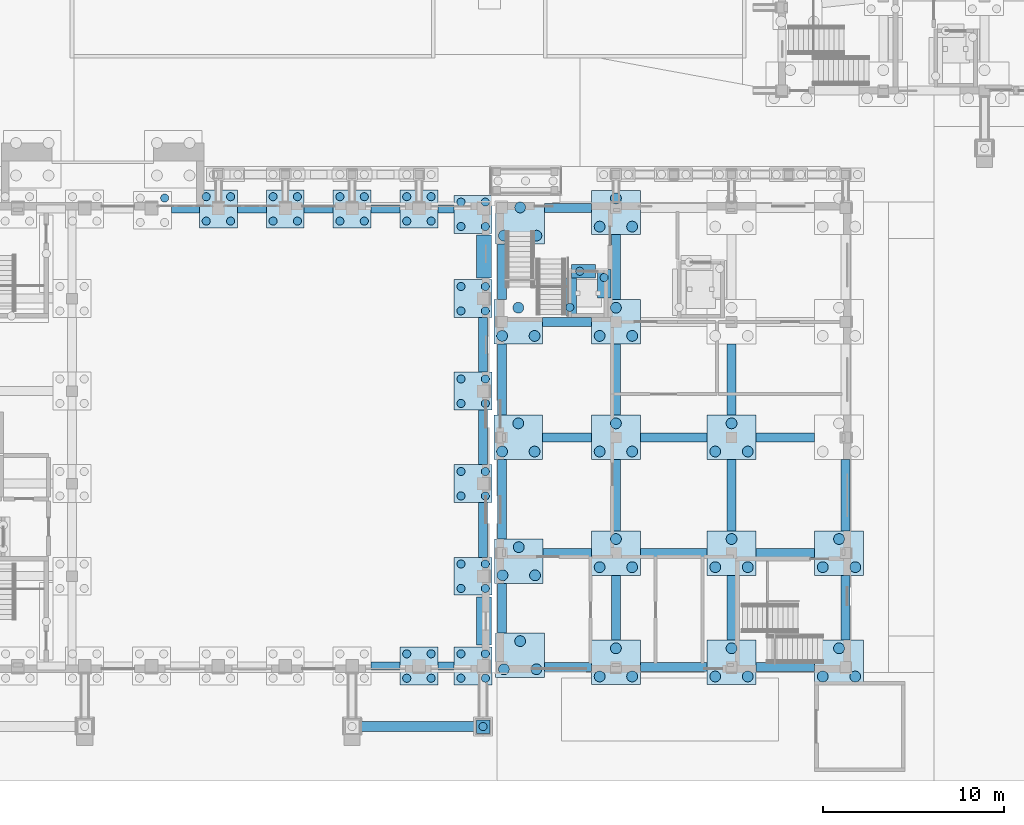
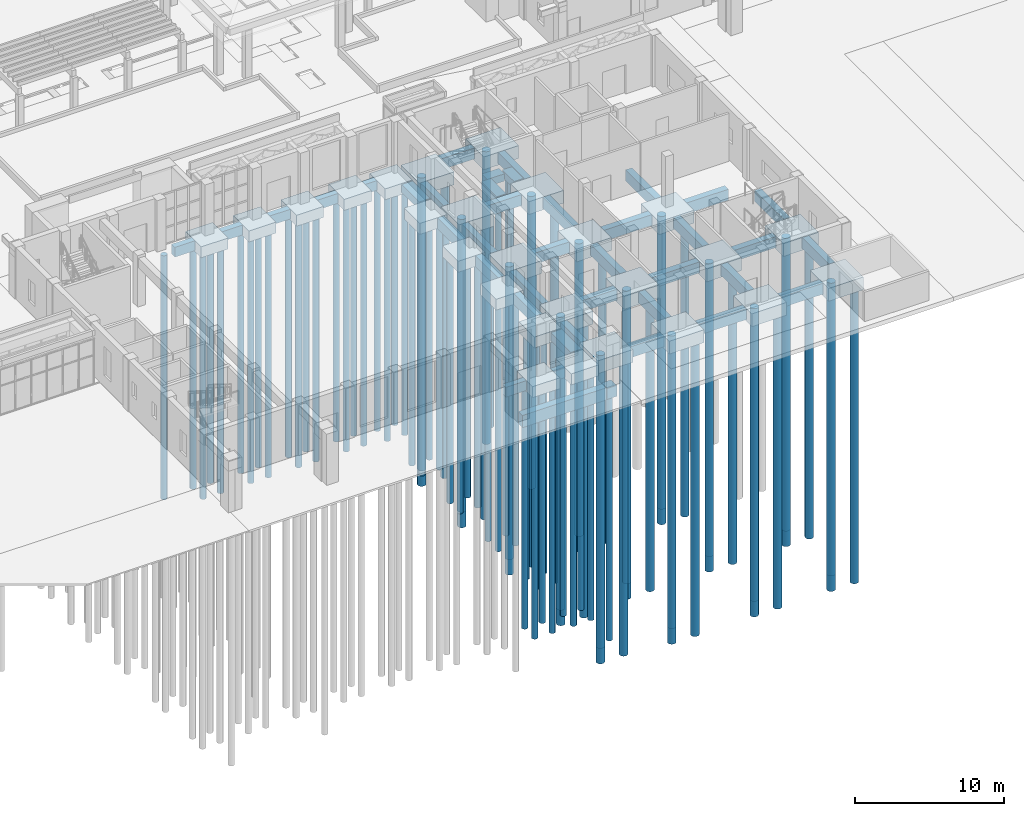
# One storey, part 4 of 112: 94 piles, 67 footings.
"""IFC4 building model written with IfcOpenShell, lengths in metres."""

from ifc_helpers import new_model, si_unit, direction, frame, origin, origin_2d, place, context, subcontext, project, spatial, rectangle, circle, extrude, material, material_profile, profile_set, type_object, element, save


model = new_model("IFC4")

# Units and contexts
model_context = context("Model", 3, precision=1e-05, world=origin(), true_north=direction((0.0, 1.0)))
body_context = subcontext(model_context, "Body", "Model", "MODEL_VIEW")
ifc_project = project(units=[si_unit("LENGTHUNIT", "METRE"), si_unit("AREAUNIT", "SQUARE_METRE"), si_unit("VOLUMEUNIT", "CUBIC_METRE"), si_unit("PLANEANGLEUNIT", "RADIAN"), si_unit("MASSUNIT", "GRAM", prefix="KILO")], contexts=[model_context])

# Site, building, storey
site_placement = place(None, origin())
site = spatial("IfcSite", under=ifc_project, at=site_placement, CompositionType="ELEMENT")
building_placement = place(site_placement, origin())
building = spatial("IfcBuilding", under=site, at=building_placement, Name="Wasatch Bagh Community Centre", CompositionType="ELEMENT")
storey_placement = place(building_placement, origin())
storey = spatial("IfcBuildingStorey", under=building, at=storey_placement, Name="L00", CompositionType="ELEMENT", Elevation=0.0)

# Footings
ifc_material_1 = material(Name="Concrete C35", Category="concrete")
footing_type_1 = type_object("IfcFootingType", Name="FD-GB-B", PredefinedType="FOOTING_BEAM", material=ifc_material_1)
footing_1_placement = place(storey_placement, frame((90.25, 6.35009765625, -1.0), z_axis=(0.0, 0.0, 1.0), x_axis=(1.0, 0.0, 0.0)))
element("IfcFooting", 1, at=footing_1_placement, inside=storey, type_object=footing_type_1, Name="GB ground beam 50", PredefinedType="FOOTING_BEAM", context=body_context, shape_type="SweptSolid", body=[
    extrude(rectangle(XDim=1.60009765625, YDim=0.449951171875, at=origin_2d()), origin(), (0.0, 0.0, 1.0), 0.800048828125),
])
footing_2_placement = place(storey_placement, frame((93.60009765625, 6.35009765625, -1.0), z_axis=(0.0, 0.0, 1.0), x_axis=(1.0, 0.0, 0.0)))
element("IfcFooting", 2, at=footing_2_placement, inside=storey, type_object=footing_type_1, Name="GB ground beam 51", PredefinedType="FOOTING_BEAM", context=body_context, shape_type="SweptSolid", body=[
    extrude(rectangle(XDim=0.89990234375, YDim=0.449951171875, at=origin_2d()), origin(), (0.0, 0.0, 1.0), 0.800048828125),
])
footing_3_placement = place(storey_placement, frame((82.85009765625, 31.64990234375, -1.0), z_axis=(0.0, 0.0, 1.0), x_axis=(1.0, 0.0, 0.0)))
element("IfcFooting", 3, at=footing_3_placement, inside=storey, type_object=footing_type_1, Name="GB ground beam 55", PredefinedType="FOOTING_BEAM", context=body_context, shape_type="SweptSolid", body=[
    extrude(rectangle(XDim=1.60009765625, YDim=0.449951171875, at=origin_2d()), origin(), (0.0, 0.0, 1.0), 0.800048828125),
])
footing_4_placement = place(storey_placement, frame((79.175048828125, 31.64990234375, -1.0), z_axis=(0.0, 0.0, 1.0), x_axis=(-1.0, 0.0, 0.0)))
element("IfcFooting", 4, at=footing_4_placement, inside=storey, type_object=footing_type_1, Name="GB ground beam 56", PredefinedType="FOOTING_BEAM", context=body_context, shape_type="SweptSolid", body=[
    extrude(rectangle(XDim=1.550048828125, YDim=0.449951171875, at=origin_2d()), origin(), (0.0, 0.0, 1.0), 0.800048828125),
])
for number, where, z_axis, x_axis, name in (
    (5, (86.550048828125, 31.64990234375, -1.0), (0.0, 0.0, 1.0), (1.0, 0.0, 0.0), "GB ground beam 57"),
    (6, (90.25, 31.64990234375, -1.0), (0.0, 0.0, 1.0), (1.0, 0.0, 0.0), "GB ground beam 58"),
):
    element("IfcFooting", number, at=place(storey_placement, frame(where, z_axis=z_axis, x_axis=x_axis)), inside=storey, type_object=footing_type_1, Name=name, PredefinedType="FOOTING_BEAM", context=body_context, shape_type="SweptSolid", body=[
        extrude(rectangle(XDim=1.60009765625, YDim=0.449951171875, at=origin_2d()), origin(), (0.0, 0.0, 1.0), 0.800048828125),
    ])
footing_5_placement = place(storey_placement, frame((93.60009765625, 31.64990234375, -1.0), z_axis=(0.0, 0.0, 1.0), x_axis=(1.0, 0.0, 0.0)))
element("IfcFooting", 7, at=footing_5_placement, inside=storey, type_object=footing_type_1, Name="GB ground beam 59", PredefinedType="FOOTING_BEAM", context=body_context, shape_type="SweptSolid", body=[
    extrude(rectangle(XDim=0.89990234375, YDim=0.449951171875, at=origin_2d()), origin(), (0.0, 0.0, 1.0), 0.800048828125),
])
footing_type_2 = type_object("IfcFootingType", Name="FD-GB-C", PredefinedType="FOOTING_BEAM", material=ifc_material_1)
for number, where, z_axis, x_axis, name in (
    (8, (95.64990234375, 13.8798828125, -1.099853515625), (0.0, 0.0, 1.0), (0.0, 1.0, 0.0), "GB ground beam 70"),
    (9, (95.64990234375, 19.0, -1.099853515625), (0.0, 0.0, 1.0), (0.0, 1.0, 0.0), "GB ground beam 71"),
    (10, (95.64990234375, 24.1201171875, -1.099853515625), (0.0, 0.0, 1.0), (0.0, 1.0, 0.0), "GB ground beam 72"),
):
    element("IfcFooting", number, at=place(storey_placement, frame(where, z_axis=z_axis, x_axis=x_axis)), inside=storey, type_object=footing_type_2, Name=name, PredefinedType="FOOTING_BEAM", context=body_context, shape_type="SweptSolid", body=[
        extrude(rectangle(XDim=3.02001953125, YDim=0.5, at=origin_2d()), origin(), (0.0, 0.0, 1.0), 0.89990234375),
    ])
footing_6_placement = place(storey_placement, frame((103.0, 15.800048828125, -1.099853515625), z_axis=(0.0, 0.0, 1.0), x_axis=(0.0, 1.0, 0.0)))
element("IfcFooting", 11, at=footing_6_placement, inside=storey, type_object=footing_type_2, Name="GB ground beam 157", PredefinedType="FOOTING_BEAM", context=body_context, shape_type="SweptSolid", body=[
    extrude(rectangle(XDim=3.94091796875, YDim=0.5, at=origin_2d()), origin(), (0.0, 0.0, 1.0), 0.89990234375),
])
footing_7_placement = place(storey_placement, frame((106.199951171875, 12.60009765625, -1.099853515625), z_axis=(0.0, 0.0, 1.0), x_axis=(1.0, 0.0, 0.0)))
element("IfcFooting", 12, at=footing_7_placement, inside=storey, type_object=footing_type_2, Name="GB ground beam 158", PredefinedType="FOOTING_BEAM", context=body_context, shape_type="SweptSolid", body=[
    extrude(rectangle(XDim=3.699951171875, YDim=0.5, at=origin_2d()), origin(), (0.0, 0.0, 1.0), 0.89990234375),
])
footing_8_placement = place(storey_placement, frame((100.3125, 12.60009765625, -1.099853515625), z_axis=(0.0, 0.0, 1.0), x_axis=(-1.0, 0.0, 0.0)))
element("IfcFooting", 13, at=footing_8_placement, inside=storey, type_object=footing_type_2, Name="GB ground beam 159", PredefinedType="FOOTING_BEAM", context=body_context, shape_type="SweptSolid", body=[
    extrude(rectangle(XDim=2.675048828125, YDim=0.5, at=origin_2d()), origin(), (0.0, 0.0, 1.0), 0.89990234375),
])
footing_9_placement = place(storey_placement, frame((103.0, 9.574951171875, -1.099853515625), z_axis=(0.0, 0.0, 1.0), x_axis=(0.0, -1.0, 0.0)))
element("IfcFooting", 14, at=footing_9_placement, inside=storey, type_object=footing_type_2, Name="GB ground beam 160", PredefinedType="FOOTING_BEAM", context=body_context, shape_type="SweptSolid", body=[
    extrude(rectangle(XDim=3.591064453125, YDim=0.5, at=origin_2d()), origin(), (0.0, 0.0, 1.0), 0.89990234375),
])
footing_10_placement = place(storey_placement, frame((103.0, 22.199951171875, -1.099853515625), z_axis=(0.0, 0.0, 1.0), x_axis=(0.0, 1.0, 0.0)))
element("IfcFooting", 15, at=footing_10_placement, inside=storey, type_object=footing_type_2, Name="GB ground beam 161", PredefinedType="FOOTING_BEAM", context=body_context, shape_type="SweptSolid", body=[
    extrude(rectangle(XDim=3.94091796875, YDim=0.5, at=origin_2d()), origin(), (0.0, 0.0, 1.0), 0.89990234375),
])
footing_11_placement = place(storey_placement, frame((106.199951171875, 19.0, -1.099853515625), z_axis=(0.0, 0.0, 1.0), x_axis=(1.0, 0.0, 0.0)))
element("IfcFooting", 16, at=footing_11_placement, inside=storey, type_object=footing_type_2, Name="GB ground beam 162", PredefinedType="FOOTING_BEAM", context=body_context, shape_type="SweptSolid", body=[
    extrude(rectangle(XDim=3.699951171875, YDim=0.5, at=origin_2d()), origin(), (0.0, 0.0, 1.0), 0.89990234375),
])
for number, where, z_axis, x_axis, name in (
    (17, (100.300048828125, 19.0, -1.099853515625), (0.0, 0.0, 1.0), (-1.0, 0.0, 0.0), "GB ground beam 163"),
    (18, (100.300048828125, 25.39990234375, -1.099853515625), (0.0, 0.0, 1.0), (-1.0, 0.0, 0.0), "GB ground beam 165"),
):
    element("IfcFooting", number, at=place(storey_placement, frame(where, z_axis=z_axis, x_axis=x_axis)), inside=storey, type_object=footing_type_2, Name=name, PredefinedType="FOOTING_BEAM", context=body_context, shape_type="SweptSolid", body=[
        extrude(rectangle(XDim=2.699951171875, YDim=0.5, at=origin_2d()), origin(), (0.0, 0.0, 1.0), 0.89990234375),
    ])
footing_12_placement = place(storey_placement, frame((103.0, 28.425048828125, -1.099853515625), z_axis=(0.0, 0.0, 1.0), x_axis=(0.0, 1.0, 0.0)))
element("IfcFooting", 19, at=footing_12_placement, inside=storey, type_object=footing_type_2, Name="GB ground beam 166", PredefinedType="FOOTING_BEAM", context=body_context, shape_type="SweptSolid", body=[
    extrude(rectangle(XDim=3.591064453125, YDim=0.5, at=origin_2d()), origin(), (0.0, 0.0, 1.0), 0.89990234375),
])
footing_13_placement = place(storey_placement, frame((109.39990234375, 15.800048828125, -1.099853515625), z_axis=(0.0, 0.0, 1.0), x_axis=(0.0, 1.0, 0.0)))
element("IfcFooting", 20, at=footing_13_placement, inside=storey, type_object=footing_type_2, Name="GB ground beam 167", PredefinedType="FOOTING_BEAM", context=body_context, shape_type="SweptSolid", body=[
    extrude(rectangle(XDim=3.94091796875, YDim=0.5, at=origin_2d()), origin(), (0.0, 0.0, 1.0), 0.89990234375),
])
footing_14_placement = place(storey_placement, frame((109.39990234375, 9.574951171875, -1.099853515625), z_axis=(0.0, 0.0, 1.0), x_axis=(0.0, -1.0, 0.0)))
element("IfcFooting", 21, at=footing_14_placement, inside=storey, type_object=footing_type_2, Name="GB ground beam 168", PredefinedType="FOOTING_BEAM", context=body_context, shape_type="SweptSolid", body=[
    extrude(rectangle(XDim=3.591064453125, YDim=0.5, at=origin_2d()), origin(), (0.0, 0.0, 1.0), 0.89990234375),
])
footing_15_placement = place(storey_placement, frame((112.375, 12.60009765625, -1.099853515625), z_axis=(0.0, 0.0, 1.0), x_axis=(1.0, 0.0, 0.0)))
element("IfcFooting", 22, at=footing_15_placement, inside=storey, type_object=footing_type_2, Name="GB ground beam 169", PredefinedType="FOOTING_BEAM", context=body_context, shape_type="SweptSolid", body=[
    extrude(rectangle(XDim=3.25, YDim=0.5, at=origin_2d()), origin(), (0.0, 0.0, 1.0), 0.89990234375),
])
footing_16_placement = place(storey_placement, frame((109.39990234375, 22.199951171875, -1.099853515625), z_axis=(0.0, 0.0, 1.0), x_axis=(0.0, 1.0, 0.0)))
element("IfcFooting", 23, at=footing_16_placement, inside=storey, type_object=footing_type_2, Name="GB ground beam 170", PredefinedType="FOOTING_BEAM", context=body_context, shape_type="SweptSolid", body=[
    extrude(rectangle(XDim=3.94091796875, YDim=0.5, at=origin_2d()), origin(), (0.0, 0.0, 1.0), 0.89990234375),
])
footing_17_placement = place(storey_placement, frame((112.375, 19.0, -1.099853515625), z_axis=(0.0, 0.0, 1.0), x_axis=(1.0, 0.0, 0.0)))
element("IfcFooting", 24, at=footing_17_placement, inside=storey, type_object=footing_type_2, Name="GB ground beam 171", PredefinedType="FOOTING_BEAM", context=body_context, shape_type="SweptSolid", body=[
    extrude(rectangle(XDim=3.25, YDim=0.5, at=origin_2d()), origin(), (0.0, 0.0, 1.0), 0.89990234375),
])
footing_18_placement = place(storey_placement, frame((96.699951171875, 9.550048828125, -1.099853515625), z_axis=(0.0, 0.0, 1.0), x_axis=(0.0, 1.0, 0.0)))
element("IfcFooting", 25, at=footing_18_placement, inside=storey, type_object=footing_type_2, Name="GB ground beam 174", PredefinedType="FOOTING_BEAM", context=body_context, shape_type="SweptSolid", body=[
    extrude(rectangle(XDim=2.740966796875, YDim=0.5, at=origin_2d()), origin(), (0.0, 0.0, 1.0), 0.89990234375),
])
footing_19_placement = place(storey_placement, frame((100.35009765625, 6.300048828125, -1.099853515625), z_axis=(0.0, 0.0, 1.0), x_axis=(1.0, 0.0, 0.0)))
element("IfcFooting", 26, at=footing_19_placement, inside=storey, type_object=footing_type_2, Name="GB ground beam 175", PredefinedType="FOOTING_BEAM", context=body_context, shape_type="SweptSolid", body=[
    extrude(rectangle(XDim=2.60009765625, YDim=0.5, at=origin_2d()), origin(), (0.0, 0.0, 1.0), 0.89990234375),
])
footing_20_placement = place(storey_placement, frame((96.699951171875, 15.574951171875, -1.099853515625), z_axis=(0.0, 0.0, 1.0), x_axis=(0.0, 1.0, 0.0)))
element("IfcFooting", 27, at=footing_20_placement, inside=storey, type_object=footing_type_2, Name="GB ground beam 176", PredefinedType="FOOTING_BEAM", context=body_context, shape_type="SweptSolid", body=[
    extrude(rectangle(XDim=4.39111328125, YDim=0.5, at=origin_2d()), origin(), (0.0, 0.0, 1.0), 0.89990234375),
])
footing_21_placement = place(storey_placement, frame((96.699951171875, 22.199951171875, -1.099853515625), z_axis=(0.0, 0.0, 1.0), x_axis=(0.0, 1.0, 0.0)))
element("IfcFooting", 28, at=footing_21_placement, inside=storey, type_object=footing_type_2, Name="GB ground beam 177", PredefinedType="FOOTING_BEAM", context=body_context, shape_type="SweptSolid", body=[
    extrude(rectangle(XDim=3.94091796875, YDim=0.5, at=origin_2d()), origin(), (0.0, 0.0, 1.0), 0.89990234375),
])
footing_22_placement = place(storey_placement, frame((96.699951171875, 28.175048828125, -1.099853515625), z_axis=(0.0, 0.0, 1.0), x_axis=(0.0, 1.0, 0.0)))
element("IfcFooting", 29, at=footing_22_placement, inside=storey, type_object=footing_type_2, Name="GB ground beam 178", PredefinedType="FOOTING_BEAM", context=body_context, shape_type="SweptSolid", body=[
    extrude(rectangle(XDim=3.091064453125, YDim=0.5, at=origin_2d()), origin(), (0.0, 0.0, 1.0), 0.89990234375),
])
footing_23_placement = place(storey_placement, frame((100.35009765625, 31.699951171875, -1.099853515625), z_axis=(0.0, 0.0, 1.0), x_axis=(1.0, 0.0, 0.0)))
element("IfcFooting", 30, at=footing_23_placement, inside=storey, type_object=footing_type_2, Name="GB ground beam 179", PredefinedType="FOOTING_BEAM", context=body_context, shape_type="SweptSolid", body=[
    extrude(rectangle(XDim=2.60009765625, YDim=0.5, at=origin_2d()), origin(), (0.0, 0.0, 1.0), 0.89990234375),
])
footing_24_placement = place(storey_placement, frame((106.199951171875, 6.300048828125, -1.099853515625), z_axis=(0.0, 0.0, 1.0), x_axis=(1.0, 0.0, 0.0)))
element("IfcFooting", 31, at=footing_24_placement, inside=storey, type_object=footing_type_2, Name="GB ground beam 180", PredefinedType="FOOTING_BEAM", context=body_context, shape_type="SweptSolid", body=[
    extrude(rectangle(XDim=3.699951171875, YDim=0.5, at=origin_2d()), origin(), (0.0, 0.0, 1.0), 0.89990234375),
])
footing_25_placement = place(storey_placement, frame((112.375, 6.300048828125, -1.099853515625), z_axis=(0.0, 0.0, 1.0), x_axis=(1.0, 0.0, 0.0)))
element("IfcFooting", 32, at=footing_25_placement, inside=storey, type_object=footing_type_2, Name="GB ground beam 182", PredefinedType="FOOTING_BEAM", context=body_context, shape_type="SweptSolid", body=[
    extrude(rectangle(XDim=3.25, YDim=0.5, at=origin_2d()), origin(), (0.0, 0.0, 1.0), 0.89990234375),
])
footing_26_placement = place(storey_placement, frame((115.699951171875, 9.574951171875, -1.099853515625), z_axis=(0.0, 0.0, 1.0), x_axis=(0.0, 1.0, 0.0)))
element("IfcFooting", 33, at=footing_26_placement, inside=storey, type_object=footing_type_2, Name="GB ground beam 184", PredefinedType="FOOTING_BEAM", context=body_context, shape_type="SweptSolid", body=[
    extrude(rectangle(XDim=3.591064453125, YDim=0.5, at=origin_2d()), origin(), (0.0, 0.0, 1.0), 0.89990234375),
])
footing_27_placement = place(storey_placement, frame((115.699951171875, 15.800048828125, -1.099853515625), z_axis=(0.0, 0.0, 1.0), x_axis=(0.0, 1.0, 0.0)))
element("IfcFooting", 34, at=footing_27_placement, inside=storey, type_object=footing_type_2, Name="GB ground beam 185", PredefinedType="FOOTING_BEAM", context=body_context, shape_type="SweptSolid", body=[
    extrude(rectangle(XDim=3.94091796875, YDim=0.5, at=origin_2d()), origin(), (0.0, 0.0, 1.0), 0.89990234375),
])
footing_type_3 = type_object("IfcFootingType", Name="FD-GB-D", PredefinedType="FOOTING_BEAM", material=ifc_material_1)
footing_28_placement = place(storey_placement, frame((92.02490234375, 3.0, -1.199951171875), z_axis=(0.0, 0.0, 1.0), x_axis=(1.0, 0.0, 0.0)))
element("IfcFooting", 35, at=footing_28_placement, inside=storey, type_object=footing_type_3, Name="GB ground beam 11", PredefinedType="FOOTING_BEAM", context=body_context, shape_type="SweptSolid", body=[
    extrude(rectangle(XDim=6.5, YDim=0.550048828125, at=origin_2d()), origin(), (0.0, 0.0, 1.0), 1.0),
])

# Piles
ifc_material_2 = material(Name="Concrete C30", Category="concrete")
ifc_material_profile_1 = material_profile(ifc_material_2, circle(Radius=0.22509765625, at=origin_2d()), Name="RC D450")
ifc_profile_set_1 = profile_set([ifc_material_profile_1], Name="Concrete C30")
pile_type_1 = type_object("IfcPileType", Name="FD-P450", PredefinedType="BORED", material=ifc_profile_set_1)
for number, where, z_axis, x_axis, name in (
    (36, (95.64990234375, 3.0, -1.10009765625), (0.0, 0.0, -1.0), (1.0, 0.0, 0.0), "P pile 4.1"),
    (37, (91.425048828125, 5.675048828125, -1.10009765625), (0.0, 0.0, -1.0), (1.0, 0.0, 0.0), "P pile 56.1"),
    (38, (92.77490234375, 5.675048828125, -1.10009765625), (0.0, 0.0, -1.0), (1.0, 0.0, 0.0), "P pile 56.2"),
    (39, (91.425048828125, 7.02490234375, -1.10009765625), (0.0, 0.0, -1.0), (1.0, 0.0, 0.0), "P pile 56.3"),
    (40, (92.77490234375, 7.02490234375, -1.10009765625), (0.0, 0.0, -1.0), (1.0, 0.0, 0.0), "P pile 56.4"),
    (41, (94.425048828125, 5.675048828125, -1.10009765625), (0.0, 0.0, -1.0), (1.0, 0.0, 0.0), "P pile 57.1"),
    (42, (95.77490234375, 5.675048828125, -1.10009765625), (0.0, 0.0, -1.0), (1.0, 0.0, 0.0), "P pile 57.2"),
    (43, (94.425048828125, 7.02490234375, -1.10009765625), (0.0, 0.0, -1.0), (1.0, 0.0, 0.0), "P pile 57.3"),
    (44, (95.77490234375, 7.02490234375, -1.10009765625), (0.0, 0.0, -1.0), (1.0, 0.0, 0.0), "P pile 57.4"),
    (45, (94.425048828125, 10.64501953125, -1.10009765625), (0.0, 0.0, -1.0), (1.0, 0.0, 0.0), "P pile 60.1"),
    (46, (95.77490234375, 10.64501953125, -1.10009765625), (0.0, 0.0, -1.0), (1.0, 0.0, 0.0), "P pile 60.2"),
    (47, (94.425048828125, 11.9951171875, -1.10009765625), (0.0, 0.0, -1.0), (1.0, 0.0, 0.0), "P pile 60.3"),
    (48, (95.77490234375, 11.9951171875, -1.10009765625), (0.0, 0.0, -1.0), (1.0, 0.0, 0.0), "P pile 60.4"),
    (49, (94.425048828125, 15.764892578125, -1.10009765625), (0.0, 0.0, -1.0), (1.0, 0.0, 0.0), "P pile 63.1"),
    (50, (95.77490234375, 15.764892578125, -1.10009765625), (0.0, 0.0, -1.0), (1.0, 0.0, 0.0), "P pile 63.2"),
    (51, (94.425048828125, 17.114990234375, -1.10009765625), (0.0, 0.0, -1.0), (1.0, 0.0, 0.0), "P pile 63.3"),
    (52, (95.77490234375, 17.114990234375, -1.10009765625), (0.0, 0.0, -1.0), (1.0, 0.0, 0.0), "P pile 63.4"),
    (53, (94.425048828125, 20.885009765625, -1.10009765625), (0.0, 0.0, -1.0), (1.0, 0.0, 0.0), "P pile 66.1"),
    (54, (95.77490234375, 20.885009765625, -1.10009765625), (0.0, 0.0, -1.0), (1.0, 0.0, 0.0), "P pile 66.2"),
    (55, (94.425048828125, 22.235107421875, -1.10009765625), (0.0, 0.0, -1.0), (1.0, 0.0, 0.0), "P pile 66.3"),
    (56, (95.77490234375, 22.235107421875, -1.10009765625), (0.0, 0.0, -1.0), (1.0, 0.0, 0.0), "P pile 66.4"),
    (57, (94.425048828125, 26.0048828125, -1.10009765625), (0.0, 0.0, -1.0), (1.0, 0.0, 0.0), "P pile 69.1"),
    (58, (95.77490234375, 26.0048828125, -1.10009765625), (0.0, 0.0, -1.0), (1.0, 0.0, 0.0), "P pile 69.2"),
    (59, (94.425048828125, 27.35498046875, -1.10009765625), (0.0, 0.0, -1.0), (1.0, 0.0, 0.0), "P pile 69.3"),
    (60, (95.77490234375, 27.35498046875, -1.10009765625), (0.0, 0.0, -1.0), (1.0, 0.0, 0.0), "P pile 69.4"),
    (61, (94.425048828125, 30.675048828125, -1.10009765625), (0.0, 0.0, -1.0), (1.0, 0.0, 0.0), "P pile 70.1"),
    (62, (95.77490234375, 30.675048828125, -1.10009765625), (0.0, 0.0, -1.0), (1.0, 0.0, 0.0), "P pile 70.2"),
    (63, (94.425048828125, 32.02490234375, -1.10009765625), (0.0, 0.0, -1.0), (1.0, 0.0, 0.0), "P pile 70.3"),
    (64, (95.77490234375, 32.02490234375, -1.10009765625), (0.0, 0.0, -1.0), (1.0, 0.0, 0.0), "P pile 70.4"),
    (65, (78.02490234375, 32.25, -1.10009765625), (0.0, 0.0, -1.0), (1.0, 0.0, 0.0), "P pile 71.4"),
    (66, (80.324951171875, 30.97509765625, -1.10009765625), (0.0, 0.0, -1.0), (1.0, 0.0, 0.0), "P pile 75.1"),
    (67, (81.675048828125, 30.97509765625, -1.10009765625), (0.0, 0.0, -1.0), (1.0, 0.0, 0.0), "P pile 75.2"),
    (68, (80.324951171875, 32.324951171875, -1.10009765625), (0.0, 0.0, -1.0), (1.0, 0.0, 0.0), "P pile 75.3"),
    (69, (81.675048828125, 32.324951171875, -1.10009765625), (0.0, 0.0, -1.0), (1.0, 0.0, 0.0), "P pile 75.4"),
    (70, (84.02490234375, 30.97509765625, -1.10009765625), (0.0, 0.0, -1.0), (1.0, 0.0, 0.0), "P pile 76.1"),
    (71, (85.375, 30.97509765625, -1.10009765625), (0.0, 0.0, -1.0), (1.0, 0.0, 0.0), "P pile 76.2"),
    (72, (84.02490234375, 32.324951171875, -1.10009765625), (0.0, 0.0, -1.0), (1.0, 0.0, 0.0), "P pile 76.3"),
    (73, (85.375, 32.324951171875, -1.10009765625), (0.0, 0.0, -1.0), (1.0, 0.0, 0.0), "P pile 76.4"),
    (74, (87.72509765625, 30.97509765625, -1.10009765625), (0.0, 0.0, -1.0), (1.0, 0.0, 0.0), "P pile 77.1"),
    (75, (89.074951171875, 30.97509765625, -1.10009765625), (0.0, 0.0, -1.0), (1.0, 0.0, 0.0), "P pile 77.2"),
    (76, (87.72509765625, 32.324951171875, -1.10009765625), (0.0, 0.0, -1.0), (1.0, 0.0, 0.0), "P pile 77.3"),
    (77, (89.074951171875, 32.324951171875, -1.10009765625), (0.0, 0.0, -1.0), (1.0, 0.0, 0.0), "P pile 77.4"),
    (78, (91.425048828125, 30.97509765625, -1.10009765625), (0.0, 0.0, -1.0), (1.0, 0.0, 0.0), "P pile 78.1"),
    (79, (92.77490234375, 30.97509765625, -1.10009765625), (0.0, 0.0, -1.0), (1.0, 0.0, 0.0), "P pile 78.2"),
    (80, (91.425048828125, 32.324951171875, -1.10009765625), (0.0, 0.0, -1.0), (1.0, 0.0, 0.0), "P pile 78.3"),
    (81, (92.77490234375, 32.324951171875, -1.10009765625), (0.0, 0.0, -1.0), (1.0, 0.0, 0.0), "P pile 78.4"),
    (82, (102.35009765625, 27.85009765625, -0.800048828125), (0.0, 0.0, -1.0), (1.0, 0.0, 0.0), "P pile SF15.1"),
    (83, (101.0, 28.199951171875, -0.800048828125), (0.0, 0.0, -1.0), (1.0, 0.0, 0.0), "P pile SF16.1"),
    (84, (100.449951171875, 26.199951171875, -0.800048828125), (0.0, 0.0, -1.0), (1.0, 0.0, 0.0), "P pile SF17.1"),
):
    element("IfcPile", number, at=place(storey_placement, frame(where, z_axis=z_axis, x_axis=x_axis)), inside=storey, type_object=pile_type_1, Name=name, PredefinedType="BORED", context=body_context, shape_type="SweptSolid", body=[
        extrude(circle(Radius=0.22509765625, at=origin_2d()), origin(), (0.0, 0.0, 1.0), 20.0),
    ])
ifc_material_profile_2 = material_profile(ifc_material_2, circle(Radius=0.300048828125, at=origin_2d()), Name="RC D600")
ifc_profile_set_2 = profile_set([ifc_material_profile_2], Name="Concrete C30")
pile_type_2 = type_object("IfcPileType", Name="FD-P600", PredefinedType="BORED", material=ifc_profile_set_2)
for number, where, z_axis, x_axis, name in (
    (85, (102.10009765625, 5.7705078125, -1.25), (0.0, 0.0, -1.0), (1.0, 0.0, 0.0), "P pile 151.1"),
    (86, (103.89990234375, 5.7705078125, -1.25), (0.0, 0.0, -1.0), (1.0, 0.0, 0.0), "P pile 151.2"),
    (87, (103.0, 7.32958984375, -1.25), (0.0, 0.0, -1.0), (1.0, 0.0, 0.0), "P pile 151.3"),
    (88, (108.5, 5.7705078125, -1.25), (0.0, 0.0, -1.0), (1.0, 0.0, 0.0), "P pile 152.1"),
    (89, (110.300048828125, 5.7705078125, -1.25), (0.0, 0.0, -1.0), (1.0, 0.0, 0.0), "P pile 152.2"),
    (90, (109.39990234375, 7.32958984375, -1.25), (0.0, 0.0, -1.0), (1.0, 0.0, 0.0), "P pile 152.3"),
    (91, (114.449951171875, 5.7705078125, -1.25), (0.0, 0.0, -1.0), (1.0, 0.0, 0.0), "P pile 153.1"),
    (92, (116.25, 5.7705078125, -1.25), (0.0, 0.0, -1.0), (1.0, 0.0, 0.0), "P pile 153.2"),
    (93, (115.35009765625, 7.32958984375, -1.25), (0.0, 0.0, -1.0), (1.0, 0.0, 0.0), "P pile 153.3"),
    (94, (96.800048828125, 6.17041015625, -1.25), (0.0, 0.0, -1.0), (1.0, 0.0, 0.0), "P pile 154.1"),
    (95, (98.60009765625, 6.17041015625, -1.25), (0.0, 0.0, -1.0), (1.0, 0.0, 0.0), "P pile 154.2"),
    (96, (97.699951171875, 7.7294921875, -1.25), (0.0, 0.0, -1.0), (1.0, 0.0, 0.0), "P pile 154.3"),
    (97, (96.72509765625, 11.37060546875, -1.25), (0.0, 0.0, -1.0), (1.0, 0.0, 0.0), "P pile 155.1"),
    (98, (98.52490234375, 11.37060546875, -1.25), (0.0, 0.0, -1.0), (1.0, 0.0, 0.0), "P pile 155.2"),
    (99, (97.625, 12.929443359375, -1.25), (0.0, 0.0, -1.0), (1.0, 0.0, 0.0), "P pile 155.3"),
    (100, (102.10009765625, 11.820556640625, -1.25), (0.0, 0.0, -1.0), (1.0, 0.0, 0.0), "P pile 156.1"),
    (101, (103.89990234375, 11.820556640625, -1.25), (0.0, 0.0, -1.0), (1.0, 0.0, 0.0), "P pile 156.2"),
    (102, (103.0, 13.37939453125, -1.25), (0.0, 0.0, -1.0), (1.0, 0.0, 0.0), "P pile 156.3"),
    (103, (108.5, 11.820556640625, -1.25), (0.0, 0.0, -1.0), (1.0, 0.0, 0.0), "P pile 157.1"),
    (104, (110.300048828125, 11.820556640625, -1.25), (0.0, 0.0, -1.0), (1.0, 0.0, 0.0), "P pile 157.2"),
    (105, (109.39990234375, 13.37939453125, -1.25), (0.0, 0.0, -1.0), (1.0, 0.0, 0.0), "P pile 157.3"),
    (106, (114.449951171875, 11.820556640625, -1.25), (0.0, 0.0, -1.0), (1.0, 0.0, 0.0), "P pile 158.1"),
    (107, (116.25, 11.820556640625, -1.25), (0.0, 0.0, -1.0), (1.0, 0.0, 0.0), "P pile 158.2"),
    (108, (115.35009765625, 13.37939453125, -1.25), (0.0, 0.0, -1.0), (1.0, 0.0, 0.0), "P pile 158.3"),
    (109, (96.699951171875, 18.220458984375, -1.25), (0.0, 0.0, -1.0), (1.0, 0.0, 0.0), "P pile 159.1"),
    (110, (98.5, 18.220458984375, -1.25), (0.0, 0.0, -1.0), (1.0, 0.0, 0.0), "P pile 159.2"),
    (111, (97.60009765625, 19.779541015625, -1.25), (0.0, 0.0, -1.0), (1.0, 0.0, 0.0), "P pile 159.3"),
    (112, (102.10009765625, 18.220458984375, -1.25), (0.0, 0.0, -1.0), (1.0, 0.0, 0.0), "P pile 160.1"),
    (113, (103.89990234375, 18.220458984375, -1.25), (0.0, 0.0, -1.0), (1.0, 0.0, 0.0), "P pile 160.2"),
    (114, (103.0, 19.779541015625, -1.25), (0.0, 0.0, -1.0), (1.0, 0.0, 0.0), "P pile 160.3"),
    (115, (108.5, 18.220458984375, -1.25), (0.0, 0.0, -1.0), (1.0, 0.0, 0.0), "P pile 161.1"),
    (116, (110.300048828125, 18.220458984375, -1.25), (0.0, 0.0, -1.0), (1.0, 0.0, 0.0), "P pile 161.2"),
    (117, (109.39990234375, 19.779541015625, -1.25), (0.0, 0.0, -1.0), (1.0, 0.0, 0.0), "P pile 161.3"),
    (118, (96.699951171875, 24.62060546875, -1.25), (0.0, 0.0, -1.0), (1.0, 0.0, 0.0), "P pile 163.1"),
    (119, (98.5, 24.62060546875, -1.25), (0.0, 0.0, -1.0), (1.0, 0.0, 0.0), "P pile 163.2"),
    (120, (97.60009765625, 26.179443359375, -1.25), (0.0, 0.0, -1.0), (1.0, 0.0, 0.0), "P pile 163.3"),
    (121, (102.10009765625, 24.62060546875, -1.25), (0.0, 0.0, -1.0), (1.0, 0.0, 0.0), "P pile 164.1"),
    (122, (103.89990234375, 24.62060546875, -1.25), (0.0, 0.0, -1.0), (1.0, 0.0, 0.0), "P pile 164.2"),
    (123, (103.0, 26.179443359375, -1.25), (0.0, 0.0, -1.0), (1.0, 0.0, 0.0), "P pile 164.3"),
    (124, (96.800048828125, 30.17041015625, -1.25), (0.0, 0.0, -1.0), (1.0, 0.0, 0.0), "P pile 167.1"),
    (125, (98.60009765625, 30.17041015625, -1.25), (0.0, 0.0, -1.0), (1.0, 0.0, 0.0), "P pile 167.2"),
    (126, (97.699951171875, 31.7294921875, -1.25), (0.0, 0.0, -1.0), (1.0, 0.0, 0.0), "P pile 167.3"),
    (127, (102.10009765625, 30.67041015625, -1.25), (0.0, 0.0, -1.0), (1.0, 0.0, 0.0), "P pile 168.1"),
    (128, (103.89990234375, 30.67041015625, -1.25), (0.0, 0.0, -1.0), (1.0, 0.0, 0.0), "P pile 168.2"),
    (129, (103.0, 32.2294921875, -1.25), (0.0, 0.0, -1.0), (1.0, 0.0, 0.0), "P pile 168.3"),
):
    element("IfcPile", number, at=place(storey_placement, frame(where, z_axis=z_axis, x_axis=x_axis)), inside=storey, type_object=pile_type_2, Name=name, PredefinedType="BORED", context=body_context, shape_type="SweptSolid", body=[
        extrude(circle(Radius=0.300048828125, at=origin_2d()), origin(), (0.0, 0.0, 1.0), 24.0),
    ])

# Footings
footing_type_4 = type_object("IfcFootingType", Name="FD-PC1", PredefinedType="PILE_CAP", material=ifc_material_2)
footing_29_placement = place(storey_placement, frame((95.64990234375, 3.0, -1.099853515625), z_axis=(0.0, 0.0, 1.0), x_axis=(1.0, 0.0, 0.0)))
element("IfcFooting", 130, at=footing_29_placement, inside=storey, type_object=footing_type_4, Name="PC cap 4", PredefinedType="PILE_CAP", context=body_context, shape_type="SweptSolid", body=[
    extrude(rectangle(XDim=0.75, YDim=0.75, at=origin_2d()), origin(), (0.0, 0.0, 1.0), 0.89990234375),
])
footing_type_5 = type_object("IfcFootingType", Name="FD-PC4", PredefinedType="PILE_CAP", material=ifc_material_2)
for number, where, z_axis, x_axis, name in (
    (131, (92.10009765625, 6.35009765625, -1.099853515625), (0.0, 0.0, 1.0), (1.0, 0.0, 0.0), "PC cap 56"),
    (132, (95.10009765625, 6.35009765625, -1.099853515625), (0.0, 0.0, 1.0), (1.0, 0.0, 0.0), "PC cap 57"),
    (133, (95.10009765625, 11.320068359375, -1.099853515625), (0.0, 0.0, 1.0), (1.0, 0.0, 0.0), "PC cap 60"),
    (134, (95.10009765625, 16.43994140625, -1.099853515625), (0.0, 0.0, 1.0), (1.0, 0.0, 0.0), "PC cap 63"),
    (135, (95.10009765625, 21.56005859375, -1.099853515625), (0.0, 0.0, 1.0), (1.0, 0.0, 0.0), "PC cap 66"),
    (136, (95.10009765625, 26.679931640625, -1.099853515625), (0.0, 0.0, 1.0), (1.0, 0.0, 0.0), "PC cap 69"),
    (137, (95.10009765625, 31.35009765625, -1.099853515625), (0.0, 0.0, 1.0), (1.0, 0.0, 0.0), "PC cap 70"),
    (138, (81.0, 31.64990234375, -1.099853515625), (0.0, 0.0, 1.0), (1.0, 0.0, 0.0), "PC cap 75"),
    (139, (84.699951171875, 31.64990234375, -1.099853515625), (0.0, 0.0, 1.0), (1.0, 0.0, 0.0), "PC cap 76"),
    (140, (88.39990234375, 31.64990234375, -1.099853515625), (0.0, 0.0, 1.0), (1.0, 0.0, 0.0), "PC cap 77"),
    (141, (92.10009765625, 31.64990234375, -1.099853515625), (0.0, 0.0, 1.0), (1.0, 0.0, 0.0), "PC cap 78"),
):
    element("IfcFooting", number, at=place(storey_placement, frame(where, z_axis=z_axis, x_axis=x_axis)), inside=storey, type_object=footing_type_5, Name=name, PredefinedType="PILE_CAP", context=body_context, shape_type="SweptSolid", body=[
        extrude(rectangle(XDim=2.10009765625, YDim=2.10009765625, at=origin_2d()), origin(), (0.0, 0.0, 1.0), 0.89990234375),
    ])
footing_type_6 = type_object("IfcFootingType", Name="FD-PC5", PredefinedType="PILE_CAP", material=ifc_material_2)
for number, where, z_axis, x_axis, name in (
    (142, (103.0, 6.550048828125, -1.25), (0.0, 0.0, 1.0), (1.0, 0.0, 0.0), "PC cap 151"),
    (143, (109.39990234375, 6.550048828125, -1.25), (0.0, 0.0, 1.0), (1.0, 0.0, 0.0), "PC cap 152"),
    (144, (115.35009765625, 6.550048828125, -1.25), (0.0, 0.0, 1.0), (1.0, 0.0, 0.0), "PC cap 153"),
    (145, (97.699951171875, 6.949951171875, -1.25), (0.0, 0.0, 1.0), (1.0, 0.0, 0.0), "PC cap 154"),
    (146, (97.625, 12.14990234375, -1.25), (0.0, 0.0, 1.0), (1.0, 0.0, 0.0), "PC cap 155"),
    (147, (103.0, 12.60009765625, -1.25), (0.0, 0.0, 1.0), (1.0, 0.0, 0.0), "PC cap 156"),
    (148, (109.39990234375, 12.60009765625, -1.25), (0.0, 0.0, 1.0), (1.0, 0.0, 0.0), "PC cap 157"),
    (149, (115.35009765625, 12.60009765625, -1.25), (0.0, 0.0, 1.0), (1.0, 0.0, 0.0), "PC cap 158"),
    (150, (97.60009765625, 19.0, -1.25), (0.0, 0.0, 1.0), (1.0, 0.0, 0.0), "PC cap 159"),
    (151, (103.0, 19.0, -1.25), (0.0, 0.0, 1.0), (1.0, 0.0, 0.0), "PC cap 160"),
    (152, (109.39990234375, 19.0, -1.25), (0.0, 0.0, 1.0), (1.0, 0.0, 0.0), "PC cap 161"),
    (153, (97.60009765625, 25.39990234375, -1.25), (0.0, 0.0, 1.0), (1.0, 0.0, 0.0), "PC cap 163"),
    (154, (103.0, 25.39990234375, -1.25), (0.0, 0.0, 1.0), (1.0, 0.0, 0.0), "PC cap 164"),
    (155, (97.699951171875, 30.949951171875, -1.25), (0.0, 0.0, 1.0), (1.0, 0.0, 0.0), "PC cap 167"),
    (156, (103.0, 31.449951171875, -1.25), (0.0, 0.0, 1.0), (1.0, 0.0, 0.0), "PC cap 168"),
):
    element("IfcFooting", number, at=place(storey_placement, frame(where, z_axis=z_axis, x_axis=x_axis)), inside=storey, type_object=footing_type_6, Name=name, PredefinedType="PILE_CAP", context=body_context, shape_type="SweptSolid", body=[
        extrude(rectangle(XDim=2.699951171875, YDim=2.458984375, at=origin_2d()), origin(), (0.0, 0.0, 1.0), 1.050048828125),
    ])
footing_type_7 = type_object("IfcFootingType", Name="FD-SF2", PredefinedType="STRIP_FOOTING", material=ifc_material_2)
footing_30_placement = place(storey_placement, frame((95.699951171875, 8.8349609375, -0.849853515625), z_axis=(0.0, 0.0, 1.0), x_axis=(0.0, 1.0, 0.0)))
element("IfcFooting", 157, at=footing_30_placement, inside=storey, type_object=footing_type_7, Name="SF wall footing 13", PredefinedType="STRIP_FOOTING", context=body_context, shape_type="SweptSolid", body=[
    extrude(rectangle(XDim=2.669921875, YDim=0.85009765625, at=origin_2d()), origin(), (0.0, 0.0, 1.0), 0.64990234375),
])
footing_31_placement = place(storey_placement, frame((95.699951171875, 29.014892578125, -0.849853515625), z_axis=(0.0, 0.0, 1.0), x_axis=(0.0, 1.0, 0.0)))
element("IfcFooting", 158, at=footing_31_placement, inside=storey, type_object=footing_type_7, Name="SF wall footing 14", PredefinedType="STRIP_FOOTING", context=body_context, shape_type="SweptSolid", body=[
    extrude(rectangle(XDim=2.3701171875, YDim=0.85009765625, at=origin_2d()), origin(), (0.0, 0.0, 1.0), 0.64990234375),
])
footing_type_8 = type_object("IfcFootingType", Name="FD-SF3", PredefinedType="STRIP_FOOTING", material=ifc_material_2)
footing_32_placement = place(storey_placement, frame((102.35009765625, 27.5146484375, -0.800048828125), z_axis=(0.0, 0.0, 1.0), x_axis=(0.0, 1.0, 0.0)))
element("IfcFooting", 159, at=footing_32_placement, inside=storey, type_object=footing_type_8, Name="SF wall footing 15", PredefinedType="STRIP_FOOTING", context=body_context, shape_type="SweptSolid", body=[
    extrude(rectangle(XDim=1.570556640625, YDim=0.75, at=origin_2d()), origin(), (0.0, 0.0, 1.0), 0.60009765625),
])
footing_33_placement = place(storey_placement, frame((101.21240234375, 28.199951171875, -0.800048828125), z_axis=(0.0, 0.0, 1.0), x_axis=(1.0, 0.0, 0.0)))
element("IfcFooting", 160, at=footing_33_placement, inside=storey, type_object=footing_type_8, Name="SF wall footing 16", PredefinedType="STRIP_FOOTING", context=body_context, shape_type="SweptSolid", body=[
    extrude(rectangle(XDim=1.324951171875, YDim=0.75, at=origin_2d()), origin(), (0.0, 0.0, 1.0), 0.60009765625),
])
footing_34_placement = place(storey_placement, frame((100.449951171875, 26.78759765625, -0.800048828125), z_axis=(0.0, 0.0, 1.0), x_axis=(0.0, 1.0, 0.0)))
element("IfcFooting", 161, at=footing_34_placement, inside=storey, type_object=footing_type_8, Name="SF wall footing 17", PredefinedType="STRIP_FOOTING", context=body_context, shape_type="SweptSolid", body=[
    extrude(rectangle(XDim=2.074951171875, YDim=0.75, at=origin_2d()), origin(), (0.0, 0.0, 1.0), 0.60009765625),
])

save(model, "model.ifc")
